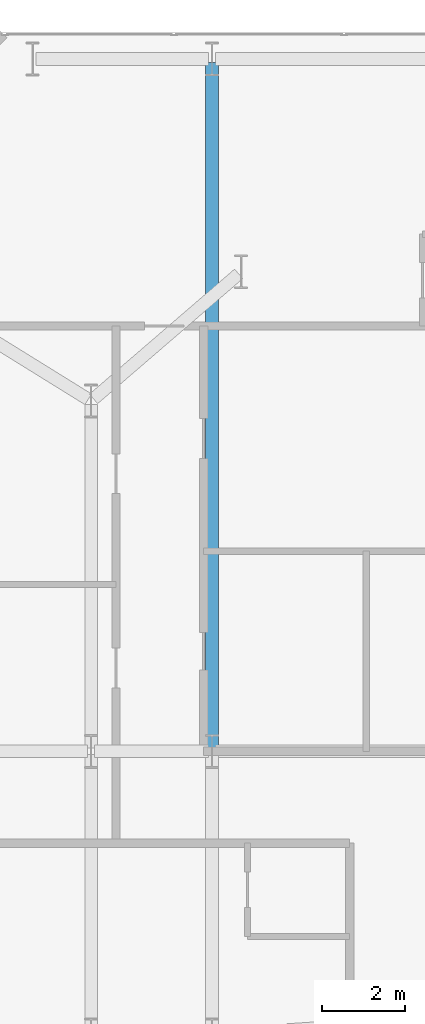
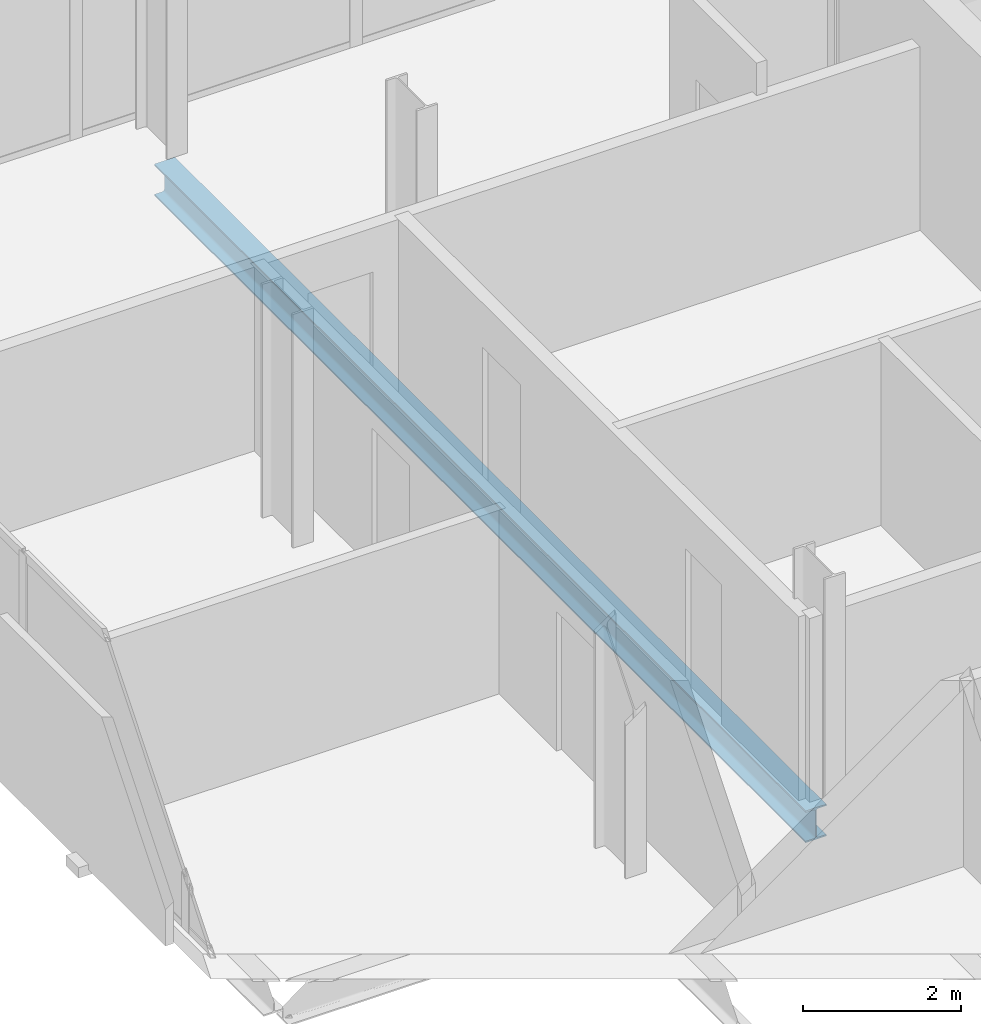
# One storey, part 19 of 33: 1 beam.
"""IFC4 building model written with IfcOpenShell, lengths in metres."""

from ifc_helpers import new_model, si_unit, direction, frame, origin, origin_2d, place, context, subcontext, project, spatial, i_section, extrude, material, material_profile, profile_set, type_object, element, save


model = new_model("IFC4")

# Units and contexts
model_context = context("Model", 3, precision=1e-05, world=origin(), true_north=direction((0.0, 1.0)))
body_context = subcontext(model_context, "Body", "Model", "MODEL_VIEW")
ifc_project = project(units=[si_unit("LENGTHUNIT", "METRE"), si_unit("AREAUNIT", "SQUARE_METRE"), si_unit("VOLUMEUNIT", "CUBIC_METRE"), si_unit("PLANEANGLEUNIT", "RADIAN"), si_unit("MASSUNIT", "GRAM", prefix="KILO")], contexts=[model_context])

# Site, building, storey
site_placement = place(None, origin())
site = spatial("IfcSite", under=ifc_project, at=site_placement, CompositionType="ELEMENT")
building_placement = place(site_placement, origin())
building = spatial("IfcBuilding", under=site, at=building_placement, Name="Catumbela Crestline Tower", CompositionType="ELEMENT")
storey_placement = place(building_placement, frame((0.0, 0.0, 72.6)))
storey = spatial("IfcBuildingStorey", under=building, at=storey_placement, Name="L18", CompositionType="ELEMENT", Elevation=72.6)

# Beam
ifc_material = material(Name="Structural steel S355J2", Category="steel")
ifc_material_profile = material_profile(ifc_material, i_section(OverallWidth=0.3, OverallDepth=0.49, WebThickness=0.012, FlangeThickness=0.023, FilletRadius=0.027, at=origin_2d()), Name="HEA 500")
ifc_profile_set = profile_set([ifc_material_profile], Name="Structural steel S355J2")
beam_type = type_object("IfcBeamType", Name="BG-HEA500", PredefinedType="BEAM", material=ifc_profile_set)
beam_placement = place(storey_placement, frame((8.5, 30.88, -0.505), z_axis=(0.0, 1.0, 0.0), x_axis=(-1.0, 0.0, 0.0)))
element("IfcBeam", 1, at=beam_placement, inside=storey, type_object=beam_type, Name="L18 Beam BM-L18-SN30", PredefinedType="BEAM", context=body_context, shape_type="SweptSolid", body=[
    extrude(i_section(OverallWidth=0.3, OverallDepth=0.49, WebThickness=0.012, FlangeThickness=0.023, FilletRadius=0.027, at=origin_2d()), origin(), (0.0, 0.0, 1.0), 16.44),
])

save(model, "model.ifc")
